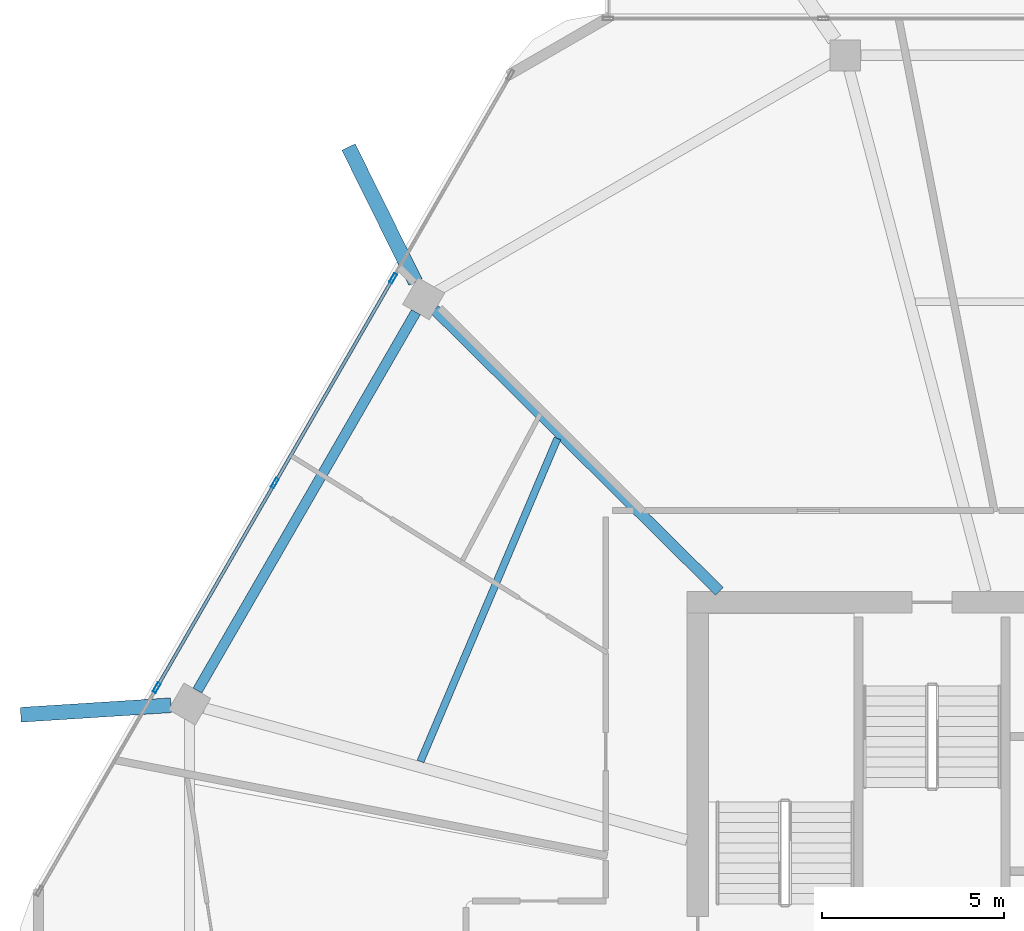
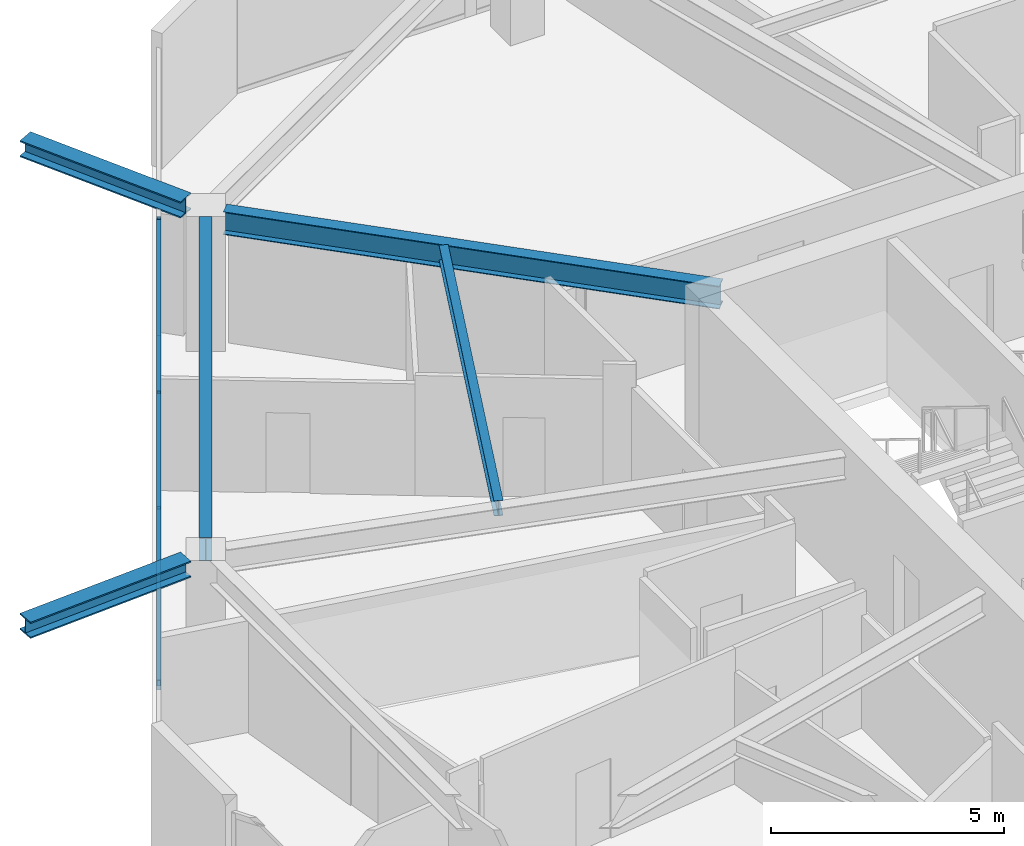
# One storey, part 11 of 26: 7 members, 5 beams, 1 element without a shape of its own.
"""IFC4 building model written with IfcOpenShell, lengths in metres."""

from ifc_helpers import new_model, si_unit, direction, frame, origin, origin_2d, place, context, subcontext, project, spatial, hollow_rectangle, i_section, extrude, material, material_profile, profile_set, type_object, element, aggregate, save


model = new_model("IFC4")

# Units and contexts
model_context = context("Model", 3, precision=1e-05, world=origin(), true_north=direction((0.0, 1.0)))
body_context = subcontext(model_context, "Body", "Model", "MODEL_VIEW")
ifc_project = project(units=[si_unit("LENGTHUNIT", "METRE"), si_unit("AREAUNIT", "SQUARE_METRE"), si_unit("VOLUMEUNIT", "CUBIC_METRE"), si_unit("PLANEANGLEUNIT", "RADIAN"), si_unit("MASSUNIT", "GRAM", prefix="KILO")], contexts=[model_context])

# Site, building, storey
site_placement = place(None, origin())
site = spatial("IfcSite", under=ifc_project, at=site_placement, CompositionType="ELEMENT")
building_placement = place(site_placement, origin())
building = spatial("IfcBuilding", under=site, at=building_placement, Name="Zuhravey Tower", CompositionType="ELEMENT")
storey_placement = place(building_placement, frame((0.0, 0.0, 288.199951171875)))
storey = spatial("IfcBuildingStorey", under=building, at=storey_placement, Name="L73", CompositionType="ELEMENT", Elevation=288.199951171875)

# Curtain wall, members
ifc_material_1 = material(Name="Thermally broken anodised aluminium", Category="aluminium")
curtain_wall_type = type_object("IfcCurtainWallType", Name="Zone 3-4 High-Rise Curtain Wall CW4", PredefinedType="NOTDEFINED", material=ifc_material_1)
curtain_wall_placement = place(storey_placement, origin())
curtain_wall = element("IfcCurtainWall", 1, at=curtain_wall_placement, inside=storey, type_object=curtain_wall_type, Name="L73 CW4 CW-L73-F3-1", PredefinedType="NOTDEFINED")
ifc_material_2 = material(Name="Anodised aluminium", Category="aluminium")
ifc_material_profile_1 = material_profile(ifc_material_2, hollow_rectangle(XDim=0.090087890625, YDim=0.284912109375, WallThickness=0.0048828125, at=origin_2d()), Name="ALU-RHS-90x285x5")
ifc_profile_set_1 = profile_set([ifc_material_profile_1], Name="Anodised aluminium")
member_type_1 = type_object("IfcMemberType", Name="Curtain-Wall Mullion 90x180", PredefinedType="MULLION", material=ifc_profile_set_1)
member_1_placement = place(storey_placement, frame((10.608154296875, 39.147216796875, 0.0), z_axis=(0.0, 0.0, 1.0), x_axis=(-0.866024851021, 0.500000957414, 0.0)))
member_1 = element("IfcMember", 2, at=member_1_placement, type_object=member_type_1, Name="CW4 mullion 2", PredefinedType="MULLION", context=body_context, shape_type="SweptSolid", body=[
    extrude(hollow_rectangle(XDim=0.090087890625, YDim=0.284912109375, WallThickness=0.0048828125, at=origin_2d()), origin(), (0.0, 0.0, 1.0), 3.1220703125),
])
member_2_placement = place(storey_placement, frame((13.861328125, 44.78173828125, 0.0), z_axis=(0.0, 0.0, 1.0), x_axis=(-0.866024851021, 0.500000957414, 0.0)))
member_2 = element("IfcMember", 3, at=member_2_placement, type_object=member_type_1, Name="CW4 mullion 3", PredefinedType="MULLION", context=body_context, shape_type="SweptSolid", body=[
    extrude(hollow_rectangle(XDim=0.090087890625, YDim=0.284912109375, WallThickness=0.0048828125, at=origin_2d()), origin(), (0.0, 0.0, 1.0), 3.1220703125),
])
member_3_placement = place(storey_placement, frame((17.114501953125, 50.41650390625, 0.0), z_axis=(0.0, 0.0, 1.0), x_axis=(-0.866024851021, 0.500000957414, 0.0)))
member_3 = element("IfcMember", 4, at=member_3_placement, type_object=member_type_1, Name="CW4 mullion 4", PredefinedType="MULLION", context=body_context, shape_type="SweptSolid", body=[
    extrude(hollow_rectangle(XDim=0.090087890625, YDim=0.284912109375, WallThickness=0.0048828125, at=origin_2d()), origin(), (0.0, 0.0, 1.0), 3.1220703125),
])
ifc_material_profile_2 = material_profile(ifc_material_2, hollow_rectangle(XDim=0.090087890625, YDim=0.14990234375, WallThickness=0.0048828125, at=origin_2d()), Name="ALU-RHS-90x150x5")
ifc_profile_set_2 = profile_set([ifc_material_profile_2], Name="Anodised aluminium")
member_type_2 = type_object("IfcMemberType", Name="Curtain-Wall Transom 90x150", PredefinedType="USERDEFINED", material=ifc_profile_set_2)
member_4_placement = place(storey_placement, frame((10.630615234375, 39.18603515625, 0.045166015625), z_axis=(0.499998017366, 0.866026548456, 0.0), x_axis=(-0.866026548456, 0.499998017366, 0.0)))
member_4 = element("IfcMember", 5, at=member_4_placement, type_object=member_type_2, Name="CW4 transom 2.1", ObjectType="TRANSOM", PredefinedType="USERDEFINED", context=body_context, shape_type="SweptSolid", body=[
    extrude(hollow_rectangle(XDim=0.090087890625, YDim=0.14990234375, WallThickness=0.0048828125, at=origin_2d()), origin(), (0.0, 0.0, 1.0), 6.41650390625),
])
member_5_placement = place(storey_placement, frame((10.630615234375, 39.18603515625, 3.0771484375), z_axis=(0.499998017366, 0.866026548456, 0.0), x_axis=(-0.866026548456, 0.499998017366, 0.0)))
member_5 = element("IfcMember", 6, at=member_5_placement, type_object=member_type_2, Name="CW4 transom 2.2", ObjectType="TRANSOM", PredefinedType="USERDEFINED", context=body_context, shape_type="SweptSolid", body=[
    extrude(hollow_rectangle(XDim=0.090087890625, YDim=0.14990234375, WallThickness=0.0048828125, at=origin_2d()), origin(), (0.0, 0.0, 1.0), 6.41650390625),
])
member_6_placement = place(storey_placement, frame((13.8837890625, 44.82080078125, 0.045166015625), z_axis=(0.500014493347, 0.866017035885, 0.0), x_axis=(-0.866017035885, 0.500014493347, 0.0)))
member_6 = element("IfcMember", 7, at=member_6_placement, type_object=member_type_2, Name="CW4 transom 3.1", ObjectType="TRANSOM", PredefinedType="USERDEFINED", context=body_context, shape_type="SweptSolid", body=[
    extrude(hollow_rectangle(XDim=0.090087890625, YDim=0.14990234375, WallThickness=0.0048828125, at=origin_2d()), origin(), (0.0, 0.0, 1.0), 6.416259765625),
])
member_7_placement = place(storey_placement, frame((13.8837890625, 44.82080078125, 3.0771484375), z_axis=(0.500014493347, 0.866017035885, 0.0), x_axis=(-0.866017035885, 0.500014493347, 0.0)))
member_7 = element("IfcMember", 8, at=member_7_placement, type_object=member_type_2, Name="CW4 transom 3.2", ObjectType="TRANSOM", PredefinedType="USERDEFINED", context=body_context, shape_type="SweptSolid", body=[
    extrude(hollow_rectangle(XDim=0.090087890625, YDim=0.14990234375, WallThickness=0.0048828125, at=origin_2d()), origin(), (0.0, 0.0, 1.0), 6.416259765625),
])
aggregate(curtain_wall, [member_1, member_2, member_3, member_4, member_5, member_6, member_7])

# Beams
ifc_material_3 = material(Name="Steel SM460", Category="steel")
ifc_material_profile_3 = material_profile(ifc_material_3, i_section(OverallWidth=0.406982421875, OverallDepth=0.427978515625, WebThickness=0.02001953125, FlangeThickness=0.034912109375, at=origin_2d()), Name="H-428x407x20x35")
ifc_profile_set_3 = profile_set([ifc_material_profile_3], Name="Steel SM460")
beam_type_1 = type_object("IfcBeamType", Name="Exoskeleton Node Tie Beam H428x407", PredefinedType="BEAM", material=ifc_profile_set_3)
beam_1_placement = place(storey_placement, frame((17.72802734375, 50.315673828125, 3.3359375), z_axis=(-0.444099365192, 0.895977540922, 0.0), x_axis=(-0.895977540922, -0.444099365192, 0.0)))
element("IfcBeam", 9, at=beam_1_placement, inside=storey, type_object=beam_type_1, Name="L73 Exoskeleton Node Tie NT1-05", PredefinedType="BEAM", context=body_context, shape_type="SweptSolid", body=[
    extrude(i_section(OverallWidth=0.406982421875, OverallDepth=0.427978515625, WebThickness=0.02001953125, FlangeThickness=0.034912109375, at=origin_2d()), origin(), (0.0, 0.0, 1.0), 4.142822265625),
])
beam_2_placement = place(storey_placement, frame((11.001953125, 38.666259765625, 3.3359375), z_axis=(-0.997987375352, -0.063412921689, 0.0), x_axis=(0.063412921689, -0.997987375352, 0.0)))
element("IfcBeam", 10, at=beam_2_placement, inside=storey, type_object=beam_type_1, Name="L73 Exoskeleton Node Tie NT1-06", PredefinedType="BEAM", context=body_context, shape_type="SweptSolid", body=[
    extrude(i_section(OverallWidth=0.406982421875, OverallDepth=0.427978515625, WebThickness=0.02001953125, FlangeThickness=0.034912109375, at=origin_2d()), origin(), (0.0, 0.0, 1.0), 4.142578125),
])
ifc_material_4 = material(Name="Steel SM355", Category="steel")
ifc_material_profile_4 = material_profile(ifc_material_4, i_section(OverallWidth=0.280029296875, OverallDepth=0.6201171875, WebThickness=0.011962890625, FlangeThickness=0.02001953125, at=origin_2d()), Name="H-620x280x12x20")
ifc_profile_set_4 = profile_set([ifc_material_profile_4], Name="Steel SM355")
beam_type_2 = type_object("IfcBeamType", Name="Perimeter Ring Beam H620x280", PredefinedType="BEAM", material=ifc_profile_set_4)
beam_3_placement = place(storey_placement, frame((17.742431640625, 49.484130859375, 3.239990234375), z_axis=(-0.500005971936, -0.866021955858, 0.0), x_axis=(0.866021955858, -0.500005971936, 0.0)))
element("IfcBeam", 11, at=beam_3_placement, inside=storey, type_object=beam_type_2, Name="L73 PB3 BM-L73-PB-05", PredefinedType="BEAM", context=body_context, shape_type="SweptSolid", body=[
    extrude(i_section(OverallWidth=0.280029296875, OverallDepth=0.6201171875, WebThickness=0.011962890625, FlangeThickness=0.02001953125, at=origin_2d()), origin(), (0.0, 0.0, 1.0), 12.025634765625),
])
ifc_material_profile_5 = material_profile(ifc_material_4, i_section(OverallWidth=0.300048828125, OverallDepth=0.60009765625, WebThickness=0.011962890625, FlangeThickness=0.02001953125, at=origin_2d()), Name="H-600x300x12x20")
ifc_profile_set_5 = profile_set([ifc_material_profile_5], Name="Steel SM355")
beam_type_3 = type_object("IfcBeamType", Name="Radial Primary Girder H600x300", PredefinedType="BEAM", material=ifc_profile_set_5)
beam_4_placement = place(storey_placement, frame((26.09326171875, 41.802978515625, 3.25), z_axis=(-0.710808169267, 0.70338591577, 0.0), x_axis=(-0.70338591577, -0.710808169267, 0.0)))
element("IfcBeam", 12, at=beam_4_placement, inside=storey, type_object=beam_type_3, Name="L73 RG3 BM-L73-RAD-05", PredefinedType="BEAM", context=body_context, shape_type="SweptSolid", body=[
    extrude(i_section(OverallWidth=0.300048828125, OverallDepth=0.60009765625, WebThickness=0.011962890625, FlangeThickness=0.02001953125, at=origin_2d()), origin(), (0.0, 0.0, 1.0), 11.019287109375),
])
ifc_material_profile_6 = material_profile(ifc_material_4, i_section(OverallWidth=0.199951171875, OverallDepth=0.39990234375, WebThickness=0.008056640625, FlangeThickness=0.012939453125, at=origin_2d()), Name="H-400x200x8x13")
ifc_profile_set_6 = profile_set([ifc_material_profile_6], Name="Steel SM355")
beam_type_4 = type_object("IfcBeamType", Name="Secondary Floor Joist H400x200", PredefinedType="JOIST", material=ifc_profile_set_6)
beam_5_placement = place(storey_placement, frame((21.63916015625, 46.009033203125, 3.35009765625), z_axis=(-0.390413493754, -0.920639616731, 0.0), x_axis=(0.920639616731, -0.390413493754, 0.0)))
element("IfcBeam", 13, at=beam_5_placement, inside=storey, type_object=beam_type_4, Name="L73 SJ2 BM-L73-SJ-05-1", PredefinedType="JOIST", context=body_context, shape_type="SweptSolid", body=[
    extrude(i_section(OverallWidth=0.199951171875, OverallDepth=0.39990234375, WebThickness=0.008056640625, FlangeThickness=0.012939453125, at=origin_2d()), origin(), (0.0, 0.0, 1.0), 9.656494140625),
])

save(model, "model.ifc")
